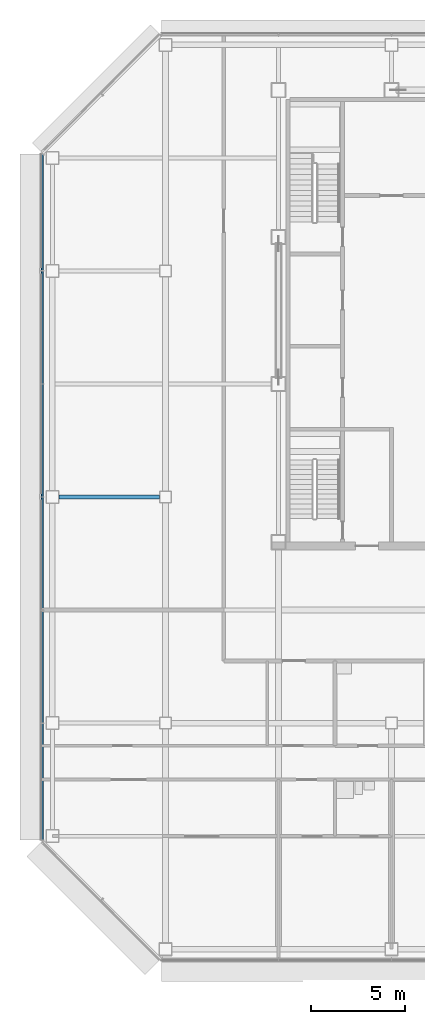
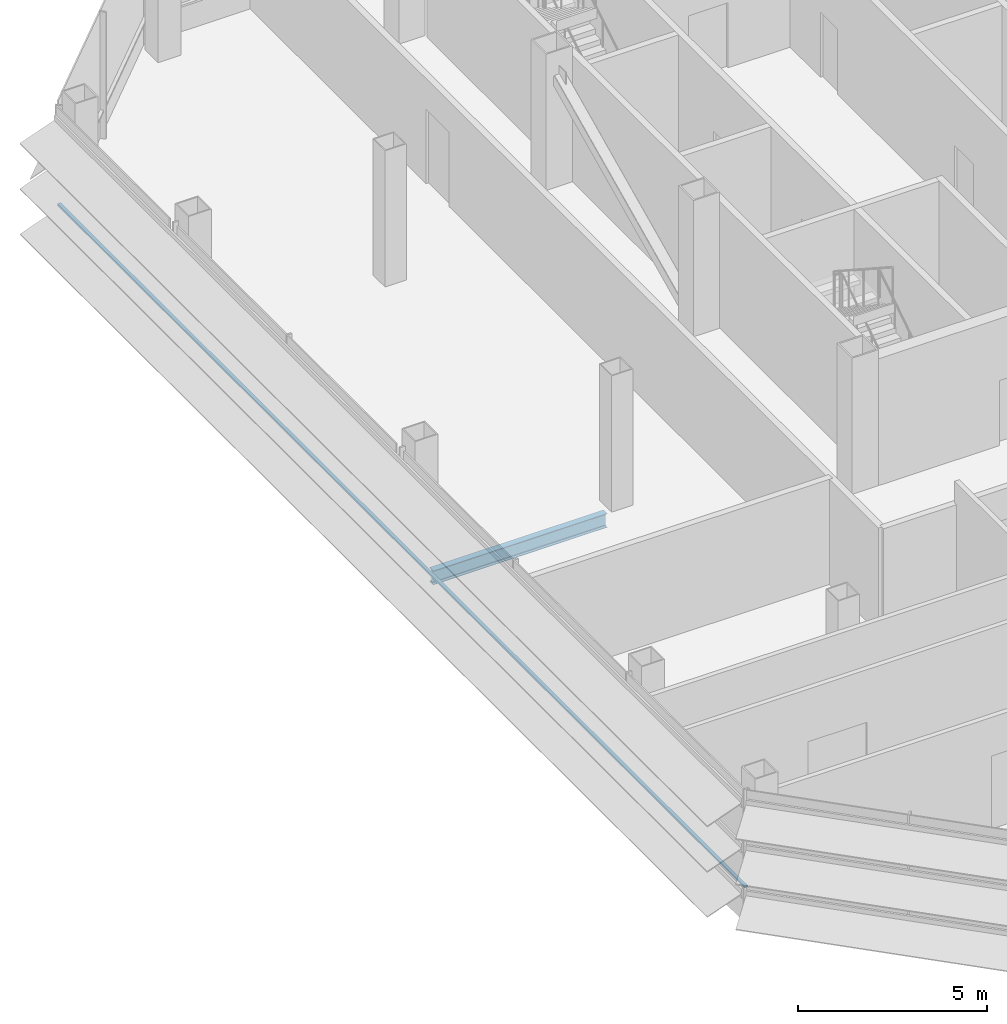
# One storey, part 5 of 26: 1 beam, 1 member, 1 element without a shape of its own.
"""IFC4 building model written with IfcOpenShell, lengths in metres."""

from ifc_helpers import new_model, si_unit, direction, frame, origin, origin_2d, place, context, subcontext, project, spatial, rectangle, i_section, extrude, material, material_profile, profile_set, type_object, element, aggregate, save


model = new_model("IFC4")

# Units and contexts
model_context = context("Model", 3, precision=1e-05, world=origin(), true_north=direction((0.0, 1.0)))
body_context = subcontext(model_context, "Body", "Model", "MODEL_VIEW")
ifc_project = project(units=[si_unit("LENGTHUNIT", "METRE"), si_unit("AREAUNIT", "SQUARE_METRE"), si_unit("VOLUMEUNIT", "CUBIC_METRE"), si_unit("PLANEANGLEUNIT", "RADIAN"), si_unit("MASSUNIT", "GRAM", prefix="KILO")], contexts=[model_context])

# Site, building, storey
site_placement = place(None, origin())
site = spatial("IfcSite", under=ifc_project, at=site_placement, CompositionType="ELEMENT")
building_placement = place(site_placement, origin())
building = spatial("IfcBuilding", under=site, at=building_placement, Name="Sorahane Residences", CompositionType="ELEMENT")
storey_placement = place(building_placement, frame((0.0, 0.0, 181.60009765625)))
storey = spatial("IfcBuildingStorey", under=building, at=storey_placement, Name="L42", CompositionType="ELEMENT", Elevation=181.60009765625)

# Curtain wall, member
ifc_material_1 = material(Name="Dark low-e glass and black anodised aluminium", Category="aluminium")
curtain_wall_type = type_object("IfcCurtainWallType", Name="Curtain wall CW-1 Typical unitised wall", PredefinedType="NOTDEFINED", material=ifc_material_1)
curtain_wall_placement = place(storey_placement, origin())
curtain_wall = element("IfcCurtainWall", 1, at=curtain_wall_placement, inside=storey, type_object=curtain_wall_type, Name="CW-1 curtain wall L42 W1", PredefinedType="NOTDEFINED")
ifc_material_2 = material(Name="Black anodised aluminium", Category="aluminium")
ifc_material_profile_1 = material_profile(ifc_material_2, rectangle(XDim=0.10009765625, YDim=0.06005859375, at=origin_2d()), Name="Curtain wall transom CW-1 black anodised aluminium 60x100")
ifc_profile_set_1 = profile_set([ifc_material_profile_1], Name="Black anodised aluminium")
member_type = type_object("IfcMemberType", Name="Curtain wall transom CW-1 black anodised aluminium 60x100", PredefinedType="USERDEFINED", material=ifc_profile_set_1)
member_placement = place(storey_placement, frame((-6.530029296875, 42.198486328125, 0.89990234375), z_axis=(0.0, -1.0, 0.0), x_axis=(1.0, 0.0, 0.0)))
member = element("IfcMember", 2, at=member_placement, type_object=member_type, Name="CW-1 transom L42 W1", ObjectType="TRANSOM", PredefinedType="USERDEFINED", context=body_context, shape_type="SweptSolid", body=[
    extrude(rectangle(XDim=0.10009765625, YDim=0.06005859375, at=origin_2d()), origin(), (0.0, 0.0, 1.0), 36.39697265625),
])
aggregate(curtain_wall, [member])

# Beam
ifc_material_3 = material(Name="Steel Q355B", Category="steel")
ifc_material_profile_2 = material_profile(ifc_material_3, i_section(OverallWidth=0.199951171875, OverallDepth=0.449951171875, WebThickness=0.009033203125, FlangeThickness=0.013916015625, FilletRadius=0.02001953125, at=origin_2d()), Name="HN 450x200x9x14")
ifc_profile_set_2 = profile_set([ifc_material_profile_2], Name="Steel Q355B")
beam_type = type_object("IfcBeamType", Name="Steel floor beam HN 450x200x9x14 Q355B", PredefinedType="BEAM", material=ifc_profile_set_2)
beam_placement = place(storey_placement, frame((-5.64990234375, 24.0, -0.405029296875), z_axis=(1.0, 0.0, 0.0), x_axis=(0.0, 1.0, 0.0)))
element("IfcBeam", 3, at=beam_placement, inside=storey, type_object=beam_type, Name="Beam L42 011", PredefinedType="BEAM", context=body_context, shape_type="SweptSolid", body=[
    extrude(i_section(OverallWidth=0.199951171875, OverallDepth=0.449951171875, WebThickness=0.009033203125, FlangeThickness=0.013916015625, FilletRadius=0.02001953125, at=origin_2d()), origin(), (0.0, 0.0, 1.0), 5.324951171875),
])

save(model, "model.ifc")
